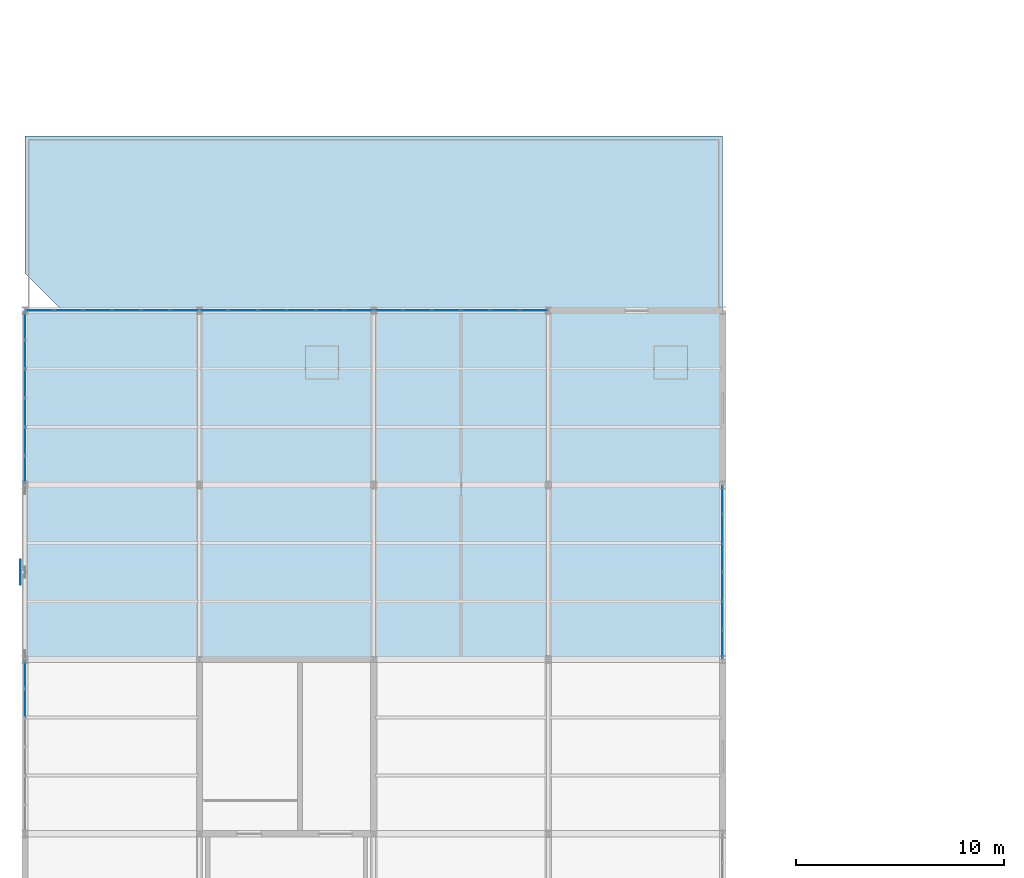
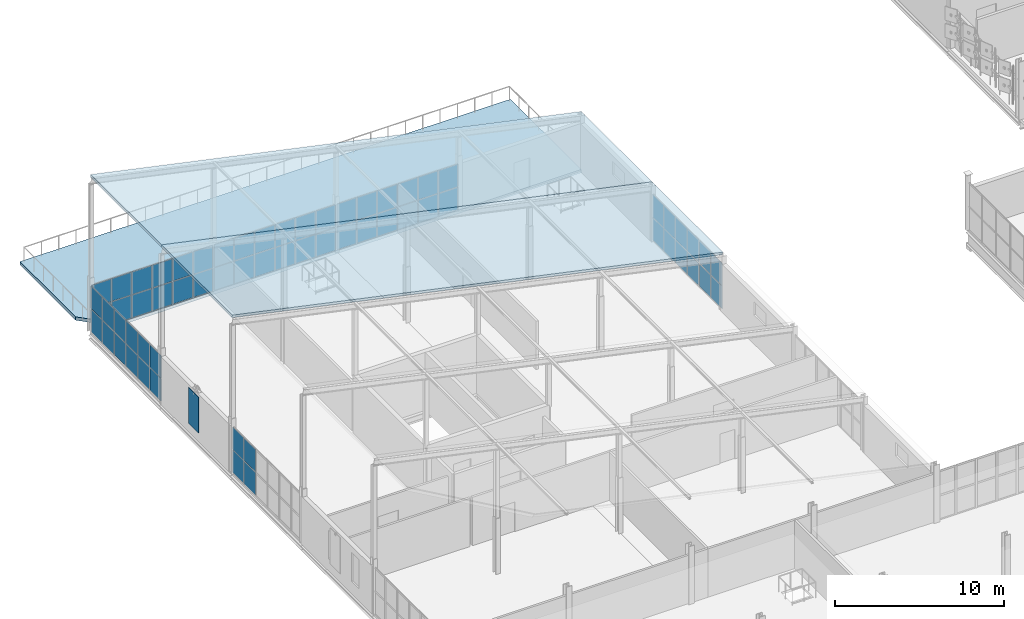
# One storey, part 142 of 184: 65 plates, 3 slabs, 6 elements without a shape of their own.
"""IFC4 building model written with IfcOpenShell, lengths in metres."""

from ifc_helpers import new_model, si_unit, direction, frame, origin, origin_2d, place, context, subcontext, project, spatial, polyline, rectangle, outline, extrude, material, layer, layer_set, type_object, element, aggregate, save


model = new_model("IFC4")

# Units and contexts
model_context = context("Model", 3, precision=1e-05, world=origin(), true_north=direction((0.0, 1.0)))
body_context = subcontext(model_context, "Body", "Model", "MODEL_VIEW")
ifc_project = project(units=[si_unit("LENGTHUNIT", "METRE"), si_unit("AREAUNIT", "SQUARE_METRE"), si_unit("VOLUMEUNIT", "CUBIC_METRE"), si_unit("PLANEANGLEUNIT", "RADIAN"), si_unit("MASSUNIT", "GRAM", prefix="KILO")], contexts=[model_context])

# Site, building, storey
site_placement = place(None, origin())
site = spatial("IfcSite", under=ifc_project, at=site_placement, CompositionType="ELEMENT")
building_placement = place(site_placement, origin())
building = spatial("IfcBuilding", under=site, at=building_placement, Name="Qalvenar Corner Mobility Hub", CompositionType="ELEMENT")
storey_placement = place(building_placement, frame((0.0, 0.0, 9.0)))
storey = spatial("IfcBuildingStorey", under=building, at=storey_placement, Name="L02", CompositionType="ELEMENT", Elevation=9.0)

# Curtain wall, plates
ifc_material_1 = material(Name="Anodised Aluminium and Low-E Glazing", Category="aluminium")
ifc_layer_1 = layer(ifc_material_1, 0.14990234375)
ifc_layer_set_1 = layer_set([ifc_layer_1], Name="Anodised Aluminium and Low-E Glazing")
curtain_wall_type = type_object("IfcCurtainWallType", Name="CW-CYC-84X39", PredefinedType="NOTDEFINED", material=ifc_layer_set_1)
curtain_wall_1_placement = place(storey_placement, origin())
curtain_wall_1 = element("IfcCurtainWall", 1, at=curtain_wall_1_placement, inside=storey, type_object=curtain_wall_type, Name="Glazed Curtain Wall CW-V5-L02-W2", PredefinedType="NOTDEFINED")
ifc_material_2 = material(Name="Solar-Control Low-E Double Glazing", Category="glass")
ifc_layer_2 = layer(ifc_material_2, 0.028076171875)
ifc_layer_set_2 = layer_set([ifc_layer_2], Name="Solar-Control Low-E Double Glazing")
plate_type_1 = type_object("IfcPlateType", Name="PLT-CWP-GLZ1", PredefinedType="CURTAIN_PANEL", material=ifc_layer_set_2)
plate_1_placement = place(storey_placement, frame((0.0, 66.485107421875, 0.054931640625), z_axis=(0.0, 0.0, 1.0), x_axis=(0.0, -1.0, 0.0)))
plate_1 = element("IfcPlate", 2, at=plate_1_placement, type_object=plate_type_1, Name="CW-08 panel 1.1", PredefinedType="CURTAIN_PANEL", context=body_context, shape_type="SweptSolid", body=[
    extrude(rectangle(XDim=1.31005859375, YDim=0.028076171875, at=origin_2d()), origin(), (0.0, 0.0, 1.0), 1.62255859375),
])
plate_2_placement = place(storey_placement, frame((0.0, 66.485107421875, 1.732421875), z_axis=(0.0, 0.0, 1.0), x_axis=(0.0, -1.0, 0.0)))
plate_2 = element("IfcPlate", 3, at=plate_2_placement, type_object=plate_type_1, Name="CW-08 panel 1.2", PredefinedType="CURTAIN_PANEL", context=body_context, shape_type="SweptSolid", body=[
    extrude(rectangle(XDim=1.31005859375, YDim=0.028076171875, at=origin_2d()), origin(), (0.0, 0.0, 1.0), 1.62255859375),
])
plate_3_placement = place(storey_placement, frame((0.0, 65.10009765625, 0.054931640625), z_axis=(0.0, 0.0, 1.0), x_axis=(0.0, -1.0, 0.0)))
plate_3 = element("IfcPlate", 4, at=plate_3_placement, type_object=plate_type_1, Name="CW-08 panel 2.1", PredefinedType="CURTAIN_PANEL", context=body_context, shape_type="SweptSolid", body=[
    extrude(rectangle(XDim=1.340087890625, YDim=0.028076171875, at=origin_2d()), origin(), (0.0, 0.0, 1.0), 1.62255859375),
])
plate_4_placement = place(storey_placement, frame((0.0, 65.10009765625, 1.732421875), z_axis=(0.0, 0.0, 1.0), x_axis=(0.0, -1.0, 0.0)))
plate_4 = element("IfcPlate", 5, at=plate_4_placement, type_object=plate_type_1, Name="CW-08 panel 2.2", PredefinedType="CURTAIN_PANEL", context=body_context, shape_type="SweptSolid", body=[
    extrude(rectangle(XDim=1.340087890625, YDim=0.028076171875, at=origin_2d()), origin(), (0.0, 0.0, 1.0), 1.62255859375),
])
aggregate(curtain_wall_1, [plate_1, plate_2, plate_3, plate_4])

curtain_wall_2_placement = place(storey_placement, origin())
curtain_wall_2 = element("IfcCurtainWall", 6, at=curtain_wall_2_placement, inside=storey, type_object=curtain_wall_type, Name="Glazed Curtain Wall CW-V5-L02-W4", PredefinedType="NOTDEFINED")
plate_5_placement = place(storey_placement, frame((0.0, 83.284912109375, 0.054931640625), z_axis=(0.0, 0.0, 1.0), x_axis=(0.0, -1.0, 0.0)))
plate_5 = element("IfcPlate", 7, at=plate_5_placement, type_object=plate_type_1, Name="CW-08 panel 1.1", PredefinedType="CURTAIN_PANEL", context=body_context, shape_type="SweptSolid", body=[
    extrude(rectangle(XDim=1.31005859375, YDim=0.028076171875, at=origin_2d()), origin(), (0.0, 0.0, 1.0), 1.62255859375),
])
plate_6_placement = place(storey_placement, frame((0.0, 83.284912109375, 1.732421875), z_axis=(0.0, 0.0, 1.0), x_axis=(0.0, -1.0, 0.0)))
plate_6 = element("IfcPlate", 8, at=plate_6_placement, type_object=plate_type_1, Name="CW-08 panel 1.2", PredefinedType="CURTAIN_PANEL", context=body_context, shape_type="SweptSolid", body=[
    extrude(rectangle(XDim=1.31005859375, YDim=0.028076171875, at=origin_2d()), origin(), (0.0, 0.0, 1.0), 1.62255859375),
])
plate_7_placement = place(storey_placement, frame((0.0, 81.89990234375, 0.054931640625), z_axis=(0.0, 0.0, 1.0), x_axis=(0.0, -1.0, 0.0)))
plate_7 = element("IfcPlate", 9, at=plate_7_placement, type_object=plate_type_1, Name="CW-08 panel 2.1", PredefinedType="CURTAIN_PANEL", context=body_context, shape_type="SweptSolid", body=[
    extrude(rectangle(XDim=1.340087890625, YDim=0.028076171875, at=origin_2d()), origin(), (0.0, 0.0, 1.0), 1.62255859375),
])
plate_8_placement = place(storey_placement, frame((0.0, 81.89990234375, 1.732421875), z_axis=(0.0, 0.0, 1.0), x_axis=(0.0, -1.0, 0.0)))
plate_8 = element("IfcPlate", 10, at=plate_8_placement, type_object=plate_type_1, Name="CW-08 panel 2.2", PredefinedType="CURTAIN_PANEL", context=body_context, shape_type="SweptSolid", body=[
    extrude(rectangle(XDim=1.340087890625, YDim=0.028076171875, at=origin_2d()), origin(), (0.0, 0.0, 1.0), 1.62255859375),
])
plate_9_placement = place(storey_placement, frame((0.0, 80.5, 0.054931640625), z_axis=(0.0, 0.0, 1.0), x_axis=(0.0, -1.0, 0.0)))
plate_9 = element("IfcPlate", 11, at=plate_9_placement, type_object=plate_type_1, Name="CW-08 panel 3.1", PredefinedType="CURTAIN_PANEL", context=body_context, shape_type="SweptSolid", body=[
    extrude(rectangle(XDim=1.340087890625, YDim=0.028076171875, at=origin_2d()), origin(), (0.0, 0.0, 1.0), 1.62255859375),
])
plate_10_placement = place(storey_placement, frame((0.0, 80.5, 1.732421875), z_axis=(0.0, 0.0, 1.0), x_axis=(0.0, -1.0, 0.0)))
plate_10 = element("IfcPlate", 12, at=plate_10_placement, type_object=plate_type_1, Name="CW-08 panel 3.2", PredefinedType="CURTAIN_PANEL", context=body_context, shape_type="SweptSolid", body=[
    extrude(rectangle(XDim=1.340087890625, YDim=0.028076171875, at=origin_2d()), origin(), (0.0, 0.0, 1.0), 1.62255859375),
])
plate_11_placement = place(storey_placement, frame((0.0, 79.10009765625, 0.054931640625), z_axis=(0.0, 0.0, 1.0), x_axis=(0.0, -1.0, 0.0)))
plate_11 = element("IfcPlate", 13, at=plate_11_placement, type_object=plate_type_1, Name="CW-08 panel 4.1", PredefinedType="CURTAIN_PANEL", context=body_context, shape_type="SweptSolid", body=[
    extrude(rectangle(XDim=1.340087890625, YDim=0.028076171875, at=origin_2d()), origin(), (0.0, 0.0, 1.0), 1.62255859375),
])
plate_12_placement = place(storey_placement, frame((0.0, 79.10009765625, 1.732421875), z_axis=(0.0, 0.0, 1.0), x_axis=(0.0, -1.0, 0.0)))
plate_12 = element("IfcPlate", 14, at=plate_12_placement, type_object=plate_type_1, Name="CW-08 panel 4.2", PredefinedType="CURTAIN_PANEL", context=body_context, shape_type="SweptSolid", body=[
    extrude(rectangle(XDim=1.340087890625, YDim=0.028076171875, at=origin_2d()), origin(), (0.0, 0.0, 1.0), 1.62255859375),
])
plate_13_placement = place(storey_placement, frame((0.0, 77.699951171875, 0.054931640625), z_axis=(0.0, 0.0, 1.0), x_axis=(0.0, -1.0, 0.0)))
plate_13 = element("IfcPlate", 15, at=plate_13_placement, type_object=plate_type_1, Name="CW-08 panel 5.1", PredefinedType="CURTAIN_PANEL", context=body_context, shape_type="SweptSolid", body=[
    extrude(rectangle(XDim=1.340087890625, YDim=0.028076171875, at=origin_2d()), origin(), (0.0, 0.0, 1.0), 1.62255859375),
])
plate_14_placement = place(storey_placement, frame((0.0, 77.699951171875, 1.732421875), z_axis=(0.0, 0.0, 1.0), x_axis=(0.0, -1.0, 0.0)))
plate_14 = element("IfcPlate", 16, at=plate_14_placement, type_object=plate_type_1, Name="CW-08 panel 5.2", PredefinedType="CURTAIN_PANEL", context=body_context, shape_type="SweptSolid", body=[
    extrude(rectangle(XDim=1.340087890625, YDim=0.028076171875, at=origin_2d()), origin(), (0.0, 0.0, 1.0), 1.62255859375),
])
plate_15_placement = place(storey_placement, frame((0.0, 76.31494140625, 0.054931640625), z_axis=(0.0, 0.0, 1.0), x_axis=(0.0, -1.0, 0.0)))
plate_15 = element("IfcPlate", 17, at=plate_15_placement, type_object=plate_type_1, Name="CW-08 panel 6.1", PredefinedType="CURTAIN_PANEL", context=body_context, shape_type="SweptSolid", body=[
    extrude(rectangle(XDim=1.31005859375, YDim=0.028076171875, at=origin_2d()), origin(), (0.0, 0.0, 1.0), 1.62255859375),
])
plate_16_placement = place(storey_placement, frame((0.0, 76.31494140625, 1.732421875), z_axis=(0.0, 0.0, 1.0), x_axis=(0.0, -1.0, 0.0)))
plate_16 = element("IfcPlate", 18, at=plate_16_placement, type_object=plate_type_1, Name="CW-08 panel 6.2", PredefinedType="CURTAIN_PANEL", context=body_context, shape_type="SweptSolid", body=[
    extrude(rectangle(XDim=1.31005859375, YDim=0.028076171875, at=origin_2d()), origin(), (0.0, 0.0, 1.0), 1.62255859375),
])
aggregate(curtain_wall_2, [plate_5, plate_6, plate_7, plate_8, plate_9, plate_10, plate_11, plate_12, plate_13, plate_14, plate_15, plate_16])

curtain_wall_3_placement = place(storey_placement, origin())
curtain_wall_3 = element("IfcCurtainWall", 19, at=curtain_wall_3_placement, inside=storey, type_object=curtain_wall_type, Name="Glazed Curtain Wall CW-V5-L02-E3", PredefinedType="NOTDEFINED")
plate_17_placement = place(storey_placement, frame((33.60009765625, 67.9150390625, 0.054931640625), z_axis=(0.0, 0.0, 1.0), x_axis=(0.0, 1.0, 0.0)))
plate_17 = element("IfcPlate", 20, at=plate_17_placement, type_object=plate_type_1, Name="CW-08 panel 1.1", PredefinedType="CURTAIN_PANEL", context=body_context, shape_type="SweptSolid", body=[
    extrude(rectangle(XDim=1.31005859375, YDim=0.028076171875, at=origin_2d()), origin(), (0.0, 0.0, 1.0), 1.62255859375),
])
plate_18_placement = place(storey_placement, frame((33.60009765625, 67.9150390625, 1.732421875), z_axis=(0.0, 0.0, 1.0), x_axis=(0.0, 1.0, 0.0)))
plate_18 = element("IfcPlate", 21, at=plate_18_placement, type_object=plate_type_1, Name="CW-08 panel 1.2", PredefinedType="CURTAIN_PANEL", context=body_context, shape_type="SweptSolid", body=[
    extrude(rectangle(XDim=1.31005859375, YDim=0.028076171875, at=origin_2d()), origin(), (0.0, 0.0, 1.0), 1.62255859375),
])
plate_19_placement = place(storey_placement, frame((33.60009765625, 69.300048828125, 0.054931640625), z_axis=(0.0, 0.0, 1.0), x_axis=(0.0, 1.0, 0.0)))
plate_19 = element("IfcPlate", 22, at=plate_19_placement, type_object=plate_type_1, Name="CW-08 panel 2.1", PredefinedType="CURTAIN_PANEL", context=body_context, shape_type="SweptSolid", body=[
    extrude(rectangle(XDim=1.340087890625, YDim=0.028076171875, at=origin_2d()), origin(), (0.0, 0.0, 1.0), 1.62255859375),
])
plate_20_placement = place(storey_placement, frame((33.60009765625, 69.300048828125, 1.732421875), z_axis=(0.0, 0.0, 1.0), x_axis=(0.0, 1.0, 0.0)))
plate_20 = element("IfcPlate", 23, at=plate_20_placement, type_object=plate_type_1, Name="CW-08 panel 2.2", PredefinedType="CURTAIN_PANEL", context=body_context, shape_type="SweptSolid", body=[
    extrude(rectangle(XDim=1.340087890625, YDim=0.028076171875, at=origin_2d()), origin(), (0.0, 0.0, 1.0), 1.62255859375),
])
plate_21_placement = place(storey_placement, frame((33.60009765625, 70.699951171875, 0.054931640625), z_axis=(0.0, 0.0, 1.0), x_axis=(0.0, 1.0, 0.0)))
plate_21 = element("IfcPlate", 24, at=plate_21_placement, type_object=plate_type_1, Name="CW-08 panel 3.1", PredefinedType="CURTAIN_PANEL", context=body_context, shape_type="SweptSolid", body=[
    extrude(rectangle(XDim=1.340087890625, YDim=0.028076171875, at=origin_2d()), origin(), (0.0, 0.0, 1.0), 1.62255859375),
])
plate_22_placement = place(storey_placement, frame((33.60009765625, 70.699951171875, 1.732421875), z_axis=(0.0, 0.0, 1.0), x_axis=(0.0, 1.0, 0.0)))
plate_22 = element("IfcPlate", 25, at=plate_22_placement, type_object=plate_type_1, Name="CW-08 panel 3.2", PredefinedType="CURTAIN_PANEL", context=body_context, shape_type="SweptSolid", body=[
    extrude(rectangle(XDim=1.340087890625, YDim=0.028076171875, at=origin_2d()), origin(), (0.0, 0.0, 1.0), 1.62255859375),
])
plate_23_placement = place(storey_placement, frame((33.60009765625, 72.10009765625, 0.054931640625), z_axis=(0.0, 0.0, 1.0), x_axis=(0.0, 1.0, 0.0)))
plate_23 = element("IfcPlate", 26, at=plate_23_placement, type_object=plate_type_1, Name="CW-08 panel 4.1", PredefinedType="CURTAIN_PANEL", context=body_context, shape_type="SweptSolid", body=[
    extrude(rectangle(XDim=1.340087890625, YDim=0.028076171875, at=origin_2d()), origin(), (0.0, 0.0, 1.0), 1.62255859375),
])
plate_24_placement = place(storey_placement, frame((33.60009765625, 72.10009765625, 1.732421875), z_axis=(0.0, 0.0, 1.0), x_axis=(0.0, 1.0, 0.0)))
plate_24 = element("IfcPlate", 27, at=plate_24_placement, type_object=plate_type_1, Name="CW-08 panel 4.2", PredefinedType="CURTAIN_PANEL", context=body_context, shape_type="SweptSolid", body=[
    extrude(rectangle(XDim=1.340087890625, YDim=0.028076171875, at=origin_2d()), origin(), (0.0, 0.0, 1.0), 1.62255859375),
])
plate_25_placement = place(storey_placement, frame((33.60009765625, 73.5, 0.054931640625), z_axis=(0.0, 0.0, 1.0), x_axis=(0.0, 1.0, 0.0)))
plate_25 = element("IfcPlate", 28, at=plate_25_placement, type_object=plate_type_1, Name="CW-08 panel 5.1", PredefinedType="CURTAIN_PANEL", context=body_context, shape_type="SweptSolid", body=[
    extrude(rectangle(XDim=1.340087890625, YDim=0.028076171875, at=origin_2d()), origin(), (0.0, 0.0, 1.0), 1.62255859375),
])
plate_26_placement = place(storey_placement, frame((33.60009765625, 73.5, 1.732421875), z_axis=(0.0, 0.0, 1.0), x_axis=(0.0, 1.0, 0.0)))
plate_26 = element("IfcPlate", 29, at=plate_26_placement, type_object=plate_type_1, Name="CW-08 panel 5.2", PredefinedType="CURTAIN_PANEL", context=body_context, shape_type="SweptSolid", body=[
    extrude(rectangle(XDim=1.340087890625, YDim=0.028076171875, at=origin_2d()), origin(), (0.0, 0.0, 1.0), 1.62255859375),
])
plate_27_placement = place(storey_placement, frame((33.60009765625, 74.885009765625, 0.054931640625), z_axis=(0.0, 0.0, 1.0), x_axis=(0.0, 1.0, 0.0)))
plate_27 = element("IfcPlate", 30, at=plate_27_placement, type_object=plate_type_1, Name="CW-08 panel 6.1", PredefinedType="CURTAIN_PANEL", context=body_context, shape_type="SweptSolid", body=[
    extrude(rectangle(XDim=1.31005859375, YDim=0.028076171875, at=origin_2d()), origin(), (0.0, 0.0, 1.0), 1.62255859375),
])
plate_28_placement = place(storey_placement, frame((33.60009765625, 74.885009765625, 1.732421875), z_axis=(0.0, 0.0, 1.0), x_axis=(0.0, 1.0, 0.0)))
plate_28 = element("IfcPlate", 31, at=plate_28_placement, type_object=plate_type_1, Name="CW-08 panel 6.2", PredefinedType="CURTAIN_PANEL", context=body_context, shape_type="SweptSolid", body=[
    extrude(rectangle(XDim=1.31005859375, YDim=0.028076171875, at=origin_2d()), origin(), (0.0, 0.0, 1.0), 1.62255859375),
])
aggregate(curtain_wall_3, [plate_17, plate_18, plate_19, plate_20, plate_21, plate_22, plate_23, plate_24, plate_25, plate_26, plate_27, plate_28])

curtain_wall_4_placement = place(storey_placement, origin())
curtain_wall_4 = element("IfcCurtainWall", 32, at=curtain_wall_4_placement, inside=storey, type_object=curtain_wall_type, Name="Glazed Curtain Wall CW-V5-L02-N0", PredefinedType="NOTDEFINED")
plate_29_placement = place(storey_placement, frame((7.68505859375, 84.0, 0.054931640625), z_axis=(0.0, 0.0, 1.0), x_axis=(-1.0, 0.0, 0.0)))
plate_29 = element("IfcPlate", 33, at=plate_29_placement, type_object=plate_type_1, Name="CW-08 panel 1.1", PredefinedType="CURTAIN_PANEL", context=body_context, shape_type="SweptSolid", body=[
    extrude(rectangle(XDim=1.31005859375, YDim=0.028076171875, at=origin_2d()), origin(), (0.0, 0.0, 1.0), 1.62255859375),
])
plate_30_placement = place(storey_placement, frame((7.68505859375, 84.0, 1.732421875), z_axis=(0.0, 0.0, 1.0), x_axis=(-1.0, 0.0, 0.0)))
plate_30 = element("IfcPlate", 34, at=plate_30_placement, type_object=plate_type_1, Name="CW-08 panel 1.2", PredefinedType="CURTAIN_PANEL", context=body_context, shape_type="SweptSolid", body=[
    extrude(rectangle(XDim=1.31005859375, YDim=0.028076171875, at=origin_2d()), origin(), (0.0, 0.0, 1.0), 1.62255859375),
])
plate_31_placement = place(storey_placement, frame((6.300048828125, 84.0, 0.054931640625), z_axis=(0.0, 0.0, 1.0), x_axis=(-1.0, 0.0, 0.0)))
plate_31 = element("IfcPlate", 35, at=plate_31_placement, type_object=plate_type_1, Name="CW-08 panel 2.1", PredefinedType="CURTAIN_PANEL", context=body_context, shape_type="SweptSolid", body=[
    extrude(rectangle(XDim=1.340087890625, YDim=0.028076171875, at=origin_2d()), origin(), (0.0, 0.0, 1.0), 1.62255859375),
])
plate_32_placement = place(storey_placement, frame((6.300048828125, 84.0, 1.732421875), z_axis=(0.0, 0.0, 1.0), x_axis=(-1.0, 0.0, 0.0)))
plate_32 = element("IfcPlate", 36, at=plate_32_placement, type_object=plate_type_1, Name="CW-08 panel 2.2", PredefinedType="CURTAIN_PANEL", context=body_context, shape_type="SweptSolid", body=[
    extrude(rectangle(XDim=1.340087890625, YDim=0.028076171875, at=origin_2d()), origin(), (0.0, 0.0, 1.0), 1.62255859375),
])
plate_33_placement = place(storey_placement, frame((4.89990234375, 84.0, 0.054931640625), z_axis=(0.0, 0.0, 1.0), x_axis=(-1.0, 0.0, 0.0)))
plate_33 = element("IfcPlate", 37, at=plate_33_placement, type_object=plate_type_1, Name="CW-08 panel 3.1", PredefinedType="CURTAIN_PANEL", context=body_context, shape_type="SweptSolid", body=[
    extrude(rectangle(XDim=1.340087890625, YDim=0.028076171875, at=origin_2d()), origin(), (0.0, 0.0, 1.0), 1.62255859375),
])
plate_34_placement = place(storey_placement, frame((4.89990234375, 84.0, 1.732421875), z_axis=(0.0, 0.0, 1.0), x_axis=(-1.0, 0.0, 0.0)))
plate_34 = element("IfcPlate", 38, at=plate_34_placement, type_object=plate_type_1, Name="CW-08 panel 3.2", PredefinedType="CURTAIN_PANEL", context=body_context, shape_type="SweptSolid", body=[
    extrude(rectangle(XDim=1.340087890625, YDim=0.028076171875, at=origin_2d()), origin(), (0.0, 0.0, 1.0), 1.62255859375),
])
plate_35_placement = place(storey_placement, frame((3.5, 84.0, 0.054931640625), z_axis=(0.0, 0.0, 1.0), x_axis=(-1.0, 0.0, 0.0)))
plate_35 = element("IfcPlate", 39, at=plate_35_placement, type_object=plate_type_1, Name="CW-08 panel 4.1", PredefinedType="CURTAIN_PANEL", context=body_context, shape_type="SweptSolid", body=[
    extrude(rectangle(XDim=1.340087890625, YDim=0.028076171875, at=origin_2d()), origin(), (0.0, 0.0, 1.0), 1.62255859375),
])
plate_36_placement = place(storey_placement, frame((3.5, 84.0, 1.732421875), z_axis=(0.0, 0.0, 1.0), x_axis=(-1.0, 0.0, 0.0)))
plate_36 = element("IfcPlate", 40, at=plate_36_placement, type_object=plate_type_1, Name="CW-08 panel 4.2", PredefinedType="CURTAIN_PANEL", context=body_context, shape_type="SweptSolid", body=[
    extrude(rectangle(XDim=1.340087890625, YDim=0.028076171875, at=origin_2d()), origin(), (0.0, 0.0, 1.0), 1.62255859375),
])
plate_37_placement = place(storey_placement, frame((2.10009765625, 84.0, 0.054931640625), z_axis=(0.0, 0.0, 1.0), x_axis=(-1.0, 0.0, 0.0)))
plate_37 = element("IfcPlate", 41, at=plate_37_placement, type_object=plate_type_1, Name="CW-08 panel 5.1", PredefinedType="CURTAIN_PANEL", context=body_context, shape_type="SweptSolid", body=[
    extrude(rectangle(XDim=1.340087890625, YDim=0.028076171875, at=origin_2d()), origin(), (0.0, 0.0, 1.0), 1.62255859375),
])
plate_38_placement = place(storey_placement, frame((2.10009765625, 84.0, 1.732421875), z_axis=(0.0, 0.0, 1.0), x_axis=(-1.0, 0.0, 0.0)))
plate_38 = element("IfcPlate", 42, at=plate_38_placement, type_object=plate_type_1, Name="CW-08 panel 5.2", PredefinedType="CURTAIN_PANEL", context=body_context, shape_type="SweptSolid", body=[
    extrude(rectangle(XDim=1.340087890625, YDim=0.028076171875, at=origin_2d()), origin(), (0.0, 0.0, 1.0), 1.62255859375),
])
plate_39_placement = place(storey_placement, frame((0.715087890625, 84.0, 0.054931640625), z_axis=(0.0, 0.0, 1.0), x_axis=(-1.0, 0.0, 0.0)))
plate_39 = element("IfcPlate", 43, at=plate_39_placement, type_object=plate_type_1, Name="CW-08 panel 6.1", PredefinedType="CURTAIN_PANEL", context=body_context, shape_type="SweptSolid", body=[
    extrude(rectangle(XDim=1.31005859375, YDim=0.028076171875, at=origin_2d()), origin(), (0.0, 0.0, 1.0), 1.62255859375),
])
plate_40_placement = place(storey_placement, frame((0.715087890625, 84.0, 1.732421875), z_axis=(0.0, 0.0, 1.0), x_axis=(-1.0, 0.0, 0.0)))
plate_40 = element("IfcPlate", 44, at=plate_40_placement, type_object=plate_type_1, Name="CW-08 panel 6.2", PredefinedType="CURTAIN_PANEL", context=body_context, shape_type="SweptSolid", body=[
    extrude(rectangle(XDim=1.31005859375, YDim=0.028076171875, at=origin_2d()), origin(), (0.0, 0.0, 1.0), 1.62255859375),
])
aggregate(curtain_wall_4, [plate_29, plate_30, plate_31, plate_32, plate_33, plate_34, plate_35, plate_36, plate_37, plate_38, plate_39, plate_40])

curtain_wall_5_placement = place(storey_placement, origin())
curtain_wall_5 = element("IfcCurtainWall", 45, at=curtain_wall_5_placement, inside=storey, type_object=curtain_wall_type, Name="Glazed Curtain Wall CW-V5-L02-N1", PredefinedType="NOTDEFINED")
plate_41_placement = place(storey_placement, frame((16.0849609375, 84.0, 0.054931640625), z_axis=(0.0, 0.0, 1.0), x_axis=(-1.0, 0.0, 0.0)))
plate_41 = element("IfcPlate", 46, at=plate_41_placement, type_object=plate_type_1, Name="CW-08 panel 1.1", PredefinedType="CURTAIN_PANEL", context=body_context, shape_type="SweptSolid", body=[
    extrude(rectangle(XDim=1.31005859375, YDim=0.028076171875, at=origin_2d()), origin(), (0.0, 0.0, 1.0), 1.62255859375),
])
plate_42_placement = place(storey_placement, frame((16.0849609375, 84.0, 1.732421875), z_axis=(0.0, 0.0, 1.0), x_axis=(-1.0, 0.0, 0.0)))
plate_42 = element("IfcPlate", 47, at=plate_42_placement, type_object=plate_type_1, Name="CW-08 panel 1.2", PredefinedType="CURTAIN_PANEL", context=body_context, shape_type="SweptSolid", body=[
    extrude(rectangle(XDim=1.31005859375, YDim=0.028076171875, at=origin_2d()), origin(), (0.0, 0.0, 1.0), 1.62255859375),
])
plate_43_placement = place(storey_placement, frame((14.699951171875, 84.0, 0.054931640625), z_axis=(0.0, 0.0, 1.0), x_axis=(-1.0, 0.0, 0.0)))
plate_43 = element("IfcPlate", 48, at=plate_43_placement, type_object=plate_type_1, Name="CW-08 panel 2.1", PredefinedType="CURTAIN_PANEL", context=body_context, shape_type="SweptSolid", body=[
    extrude(rectangle(XDim=1.340087890625, YDim=0.028076171875, at=origin_2d()), origin(), (0.0, 0.0, 1.0), 1.62255859375),
])
plate_44_placement = place(storey_placement, frame((14.699951171875, 84.0, 1.732421875), z_axis=(0.0, 0.0, 1.0), x_axis=(-1.0, 0.0, 0.0)))
plate_44 = element("IfcPlate", 49, at=plate_44_placement, type_object=plate_type_1, Name="CW-08 panel 2.2", PredefinedType="CURTAIN_PANEL", context=body_context, shape_type="SweptSolid", body=[
    extrude(rectangle(XDim=1.340087890625, YDim=0.028076171875, at=origin_2d()), origin(), (0.0, 0.0, 1.0), 1.62255859375),
])
plate_45_placement = place(storey_placement, frame((13.300048828125, 84.0, 0.054931640625), z_axis=(0.0, 0.0, 1.0), x_axis=(-1.0, 0.0, 0.0)))
plate_45 = element("IfcPlate", 50, at=plate_45_placement, type_object=plate_type_1, Name="CW-08 panel 3.1", PredefinedType="CURTAIN_PANEL", context=body_context, shape_type="SweptSolid", body=[
    extrude(rectangle(XDim=1.340087890625, YDim=0.028076171875, at=origin_2d()), origin(), (0.0, 0.0, 1.0), 1.62255859375),
])
plate_46_placement = place(storey_placement, frame((13.300048828125, 84.0, 1.732421875), z_axis=(0.0, 0.0, 1.0), x_axis=(-1.0, 0.0, 0.0)))
plate_46 = element("IfcPlate", 51, at=plate_46_placement, type_object=plate_type_1, Name="CW-08 panel 3.2", PredefinedType="CURTAIN_PANEL", context=body_context, shape_type="SweptSolid", body=[
    extrude(rectangle(XDim=1.340087890625, YDim=0.028076171875, at=origin_2d()), origin(), (0.0, 0.0, 1.0), 1.62255859375),
])
plate_47_placement = place(storey_placement, frame((11.89990234375, 84.0, 0.054931640625), z_axis=(0.0, 0.0, 1.0), x_axis=(-1.0, 0.0, 0.0)))
plate_47 = element("IfcPlate", 52, at=plate_47_placement, type_object=plate_type_1, Name="CW-08 panel 4.1", PredefinedType="CURTAIN_PANEL", context=body_context, shape_type="SweptSolid", body=[
    extrude(rectangle(XDim=1.340087890625, YDim=0.028076171875, at=origin_2d()), origin(), (0.0, 0.0, 1.0), 1.62255859375),
])
plate_48_placement = place(storey_placement, frame((11.89990234375, 84.0, 1.732421875), z_axis=(0.0, 0.0, 1.0), x_axis=(-1.0, 0.0, 0.0)))
plate_48 = element("IfcPlate", 53, at=plate_48_placement, type_object=plate_type_1, Name="CW-08 panel 4.2", PredefinedType="CURTAIN_PANEL", context=body_context, shape_type="SweptSolid", body=[
    extrude(rectangle(XDim=1.340087890625, YDim=0.028076171875, at=origin_2d()), origin(), (0.0, 0.0, 1.0), 1.62255859375),
])
plate_49_placement = place(storey_placement, frame((10.5, 84.0, 0.054931640625), z_axis=(0.0, 0.0, 1.0), x_axis=(-1.0, 0.0, 0.0)))
plate_49 = element("IfcPlate", 54, at=plate_49_placement, type_object=plate_type_1, Name="CW-08 panel 5.1", PredefinedType="CURTAIN_PANEL", context=body_context, shape_type="SweptSolid", body=[
    extrude(rectangle(XDim=1.340087890625, YDim=0.028076171875, at=origin_2d()), origin(), (0.0, 0.0, 1.0), 1.62255859375),
])
plate_50_placement = place(storey_placement, frame((10.5, 84.0, 1.732421875), z_axis=(0.0, 0.0, 1.0), x_axis=(-1.0, 0.0, 0.0)))
plate_50 = element("IfcPlate", 55, at=plate_50_placement, type_object=plate_type_1, Name="CW-08 panel 5.2", PredefinedType="CURTAIN_PANEL", context=body_context, shape_type="SweptSolid", body=[
    extrude(rectangle(XDim=1.340087890625, YDim=0.028076171875, at=origin_2d()), origin(), (0.0, 0.0, 1.0), 1.62255859375),
])
plate_51_placement = place(storey_placement, frame((9.114990234375, 84.0, 0.054931640625), z_axis=(0.0, 0.0, 1.0), x_axis=(-1.0, 0.0, 0.0)))
plate_51 = element("IfcPlate", 56, at=plate_51_placement, type_object=plate_type_1, Name="CW-08 panel 6.1", PredefinedType="CURTAIN_PANEL", context=body_context, shape_type="SweptSolid", body=[
    extrude(rectangle(XDim=1.31005859375, YDim=0.028076171875, at=origin_2d()), origin(), (0.0, 0.0, 1.0), 1.62255859375),
])
plate_52_placement = place(storey_placement, frame((9.114990234375, 84.0, 1.732421875), z_axis=(0.0, 0.0, 1.0), x_axis=(-1.0, 0.0, 0.0)))
plate_52 = element("IfcPlate", 57, at=plate_52_placement, type_object=plate_type_1, Name="CW-08 panel 6.2", PredefinedType="CURTAIN_PANEL", context=body_context, shape_type="SweptSolid", body=[
    extrude(rectangle(XDim=1.31005859375, YDim=0.028076171875, at=origin_2d()), origin(), (0.0, 0.0, 1.0), 1.62255859375),
])
aggregate(curtain_wall_5, [plate_41, plate_42, plate_43, plate_44, plate_45, plate_46, plate_47, plate_48, plate_49, plate_50, plate_51, plate_52])

curtain_wall_6_placement = place(storey_placement, origin())
curtain_wall_6 = element("IfcCurtainWall", 58, at=curtain_wall_6_placement, inside=storey, type_object=curtain_wall_type, Name="Glazed Curtain Wall CW-V5-L02-N2", PredefinedType="NOTDEFINED")
plate_53_placement = place(storey_placement, frame((24.485107421875, 84.0, 0.054931640625), z_axis=(0.0, 0.0, 1.0), x_axis=(-1.0, 0.0, 0.0)))
plate_53 = element("IfcPlate", 59, at=plate_53_placement, type_object=plate_type_1, Name="CW-08 panel 1.1", PredefinedType="CURTAIN_PANEL", context=body_context, shape_type="SweptSolid", body=[
    extrude(rectangle(XDim=1.31005859375, YDim=0.028076171875, at=origin_2d()), origin(), (0.0, 0.0, 1.0), 1.62255859375),
])
plate_54_placement = place(storey_placement, frame((24.485107421875, 84.0, 1.732421875), z_axis=(0.0, 0.0, 1.0), x_axis=(-1.0, 0.0, 0.0)))
plate_54 = element("IfcPlate", 60, at=plate_54_placement, type_object=plate_type_1, Name="CW-08 panel 1.2", PredefinedType="CURTAIN_PANEL", context=body_context, shape_type="SweptSolid", body=[
    extrude(rectangle(XDim=1.31005859375, YDim=0.028076171875, at=origin_2d()), origin(), (0.0, 0.0, 1.0), 1.62255859375),
])
plate_55_placement = place(storey_placement, frame((23.10009765625, 84.0, 0.054931640625), z_axis=(0.0, 0.0, 1.0), x_axis=(-1.0, 0.0, 0.0)))
plate_55 = element("IfcPlate", 61, at=plate_55_placement, type_object=plate_type_1, Name="CW-08 panel 2.1", PredefinedType="CURTAIN_PANEL", context=body_context, shape_type="SweptSolid", body=[
    extrude(rectangle(XDim=1.340087890625, YDim=0.028076171875, at=origin_2d()), origin(), (0.0, 0.0, 1.0), 1.62255859375),
])
plate_56_placement = place(storey_placement, frame((23.10009765625, 84.0, 1.732421875), z_axis=(0.0, 0.0, 1.0), x_axis=(-1.0, 0.0, 0.0)))
plate_56 = element("IfcPlate", 62, at=plate_56_placement, type_object=plate_type_1, Name="CW-08 panel 2.2", PredefinedType="CURTAIN_PANEL", context=body_context, shape_type="SweptSolid", body=[
    extrude(rectangle(XDim=1.340087890625, YDim=0.028076171875, at=origin_2d()), origin(), (0.0, 0.0, 1.0), 1.62255859375),
])
plate_57_placement = place(storey_placement, frame((21.699951171875, 84.0, 0.054931640625), z_axis=(0.0, 0.0, 1.0), x_axis=(-1.0, 0.0, 0.0)))
plate_57 = element("IfcPlate", 63, at=plate_57_placement, type_object=plate_type_1, Name="CW-08 panel 3.1", PredefinedType="CURTAIN_PANEL", context=body_context, shape_type="SweptSolid", body=[
    extrude(rectangle(XDim=1.340087890625, YDim=0.028076171875, at=origin_2d()), origin(), (0.0, 0.0, 1.0), 1.62255859375),
])
plate_58_placement = place(storey_placement, frame((21.699951171875, 84.0, 1.732421875), z_axis=(0.0, 0.0, 1.0), x_axis=(-1.0, 0.0, 0.0)))
plate_58 = element("IfcPlate", 64, at=plate_58_placement, type_object=plate_type_1, Name="CW-08 panel 3.2", PredefinedType="CURTAIN_PANEL", context=body_context, shape_type="SweptSolid", body=[
    extrude(rectangle(XDim=1.340087890625, YDim=0.028076171875, at=origin_2d()), origin(), (0.0, 0.0, 1.0), 1.62255859375),
])
plate_59_placement = place(storey_placement, frame((20.300048828125, 84.0, 0.054931640625), z_axis=(0.0, 0.0, 1.0), x_axis=(-1.0, 0.0, 0.0)))
plate_59 = element("IfcPlate", 65, at=plate_59_placement, type_object=plate_type_1, Name="CW-08 panel 4.1", PredefinedType="CURTAIN_PANEL", context=body_context, shape_type="SweptSolid", body=[
    extrude(rectangle(XDim=1.340087890625, YDim=0.028076171875, at=origin_2d()), origin(), (0.0, 0.0, 1.0), 1.62255859375),
])
plate_60_placement = place(storey_placement, frame((20.300048828125, 84.0, 1.732421875), z_axis=(0.0, 0.0, 1.0), x_axis=(-1.0, 0.0, 0.0)))
plate_60 = element("IfcPlate", 66, at=plate_60_placement, type_object=plate_type_1, Name="CW-08 panel 4.2", PredefinedType="CURTAIN_PANEL", context=body_context, shape_type="SweptSolid", body=[
    extrude(rectangle(XDim=1.340087890625, YDim=0.028076171875, at=origin_2d()), origin(), (0.0, 0.0, 1.0), 1.62255859375),
])
plate_61_placement = place(storey_placement, frame((18.89990234375, 84.0, 0.054931640625), z_axis=(0.0, 0.0, 1.0), x_axis=(-1.0, 0.0, 0.0)))
plate_61 = element("IfcPlate", 67, at=plate_61_placement, type_object=plate_type_1, Name="CW-08 panel 5.1", PredefinedType="CURTAIN_PANEL", context=body_context, shape_type="SweptSolid", body=[
    extrude(rectangle(XDim=1.340087890625, YDim=0.028076171875, at=origin_2d()), origin(), (0.0, 0.0, 1.0), 1.62255859375),
])
plate_62_placement = place(storey_placement, frame((18.89990234375, 84.0, 1.732421875), z_axis=(0.0, 0.0, 1.0), x_axis=(-1.0, 0.0, 0.0)))
plate_62 = element("IfcPlate", 68, at=plate_62_placement, type_object=plate_type_1, Name="CW-08 panel 5.2", PredefinedType="CURTAIN_PANEL", context=body_context, shape_type="SweptSolid", body=[
    extrude(rectangle(XDim=1.340087890625, YDim=0.028076171875, at=origin_2d()), origin(), (0.0, 0.0, 1.0), 1.62255859375),
])
plate_63_placement = place(storey_placement, frame((17.514892578125, 84.0, 0.054931640625), z_axis=(0.0, 0.0, 1.0), x_axis=(-1.0, 0.0, 0.0)))
plate_63 = element("IfcPlate", 69, at=plate_63_placement, type_object=plate_type_1, Name="CW-08 panel 6.1", PredefinedType="CURTAIN_PANEL", context=body_context, shape_type="SweptSolid", body=[
    extrude(rectangle(XDim=1.31005859375, YDim=0.028076171875, at=origin_2d()), origin(), (0.0, 0.0, 1.0), 1.62255859375),
])
plate_64_placement = place(storey_placement, frame((17.514892578125, 84.0, 1.732421875), z_axis=(0.0, 0.0, 1.0), x_axis=(-1.0, 0.0, 0.0)))
plate_64 = element("IfcPlate", 70, at=plate_64_placement, type_object=plate_type_1, Name="CW-08 panel 6.2", PredefinedType="CURTAIN_PANEL", context=body_context, shape_type="SweptSolid", body=[
    extrude(rectangle(XDim=1.31005859375, YDim=0.028076171875, at=origin_2d()), origin(), (0.0, 0.0, 1.0), 1.62255859375),
])
aggregate(curtain_wall_6, [plate_53, plate_54, plate_55, plate_56, plate_57, plate_58, plate_59, plate_60, plate_61, plate_62, plate_63, plate_64])

# Plate
ifc_material_3 = material(Name="Perforated Turquoise-Patina Aluminium", Category="aluminium")
ifc_layer_3 = layer(ifc_material_3, 0.028076171875)
ifc_layer_set_3 = layer_set([ifc_layer_3], Name="Perforated Turquoise-Patina Aluminium")
plate_type_2 = type_object("IfcPlateType", Name="PLT-SCR-CYC", PredefinedType="SHEET", material=ifc_layer_set_3)
plate_65_placement = place(storey_placement, frame((-0.219970703125, 71.39990234375, 0.75), z_axis=(0.0, 0.0, 1.0), x_axis=(0.0, 1.0, 0.0)))
element("IfcPlate", 71, at=plate_65_placement, inside=storey, type_object=plate_type_2, Name="Cycle Hall Sun Screen SC2-L02-3", PredefinedType="SHEET", context=body_context, shape_type="SweptSolid", body=[
    extrude(rectangle(XDim=1.199951171875, YDim=0.028076171875, at=origin_2d()), origin(), (0.0, 0.0, 1.0), 2.60009765625),
])

# Slabs
ifc_material_4 = material(Name="Concrete C35/45", Category="concrete")
ifc_layer_4 = layer(ifc_material_4, 0.169921875)
ifc_layer_set_4 = layer_set([ifc_layer_4], Name="Concrete C35/45")
slab_type_1 = type_object("IfcSlabType", Name="SLB-ROOF170", PredefinedType="ROOF", material=ifc_layer_set_4)
slab_1_placement = place(storey_placement, frame((0.0, 67.199951171875, 11.39990234375), z_axis=(0.209527147912, 0.0, 0.977802829965), x_axis=(0.977802829965, 0.0, -0.209527147912)))
element("IfcSlab", 72, at=slab_1_placement, inside=storey, type_object=slab_type_1, Name="Bicycle Hall Mono-Pitch Roof V5-4", PredefinedType="ROOF", context=body_context, shape_type="SweptSolid", body=[
    extrude(outline(polyline([(0.0, 0.0), (34.3628558095354, 0.0), (34.3628558095354, 8.400146484375), (0.0, 8.400146484375), (0.0, 0.0)])), origin(), (0.0, 0.0, -1.0), 0.169921875),
])
slab_2_placement = place(storey_placement, frame((0.0, 75.60009765625, 11.39990234375), z_axis=(0.209527147912, 0.0, 0.977802829965), x_axis=(0.977802829965, 0.0, -0.209527147912)))
element("IfcSlab", 73, at=slab_2_placement, inside=storey, type_object=slab_type_1, Name="Bicycle Hall Mono-Pitch Roof V5-5", PredefinedType="ROOF", context=body_context, shape_type="SweptSolid", body=[
    extrude(outline(polyline([(0.0, 0.0), (34.3628558095354, 0.0), (34.3628558095354, 8.399902343749998), (0.0, 8.399902343749998), (0.0, 0.0)])), origin(), (0.0, 0.0, -1.0), 0.169921875),
])
ifc_material_5 = material(Name="Concrete C35/45", Category="concrete")
ifc_layer_5 = layer(ifc_material_5, 0.241943359375)
ifc_layer_set_5 = layer_set([ifc_layer_5], Name="Concrete C35/45")
slab_type_2 = type_object("IfcSlabType", Name="SLB-TERR210", PredefinedType="FLOOR", material=ifc_layer_set_5)
slab_3_placement = place(storey_placement, frame((0.0, 0.0, -0.241943359375)))
element("IfcSlab", 74, at=slab_3_placement, inside=storey, type_object=slab_type_2, Name="Walkable Terrace Slab TER-V5-L02", PredefinedType="FLOOR", context=body_context, shape_type="SweptSolid", body=[
    extrude(outline(polyline([(1.800048828125, 84.0), (33.60009765625, 84.0), (33.60009765625, 92.39990234375), (0.0, 92.39990234375), (0.0, 85.800048828125), (1.800048828125, 84.0)])), origin(), (0.0, 0.0, 1.0), 0.241943359375),
])

save(model, "model.ifc")
